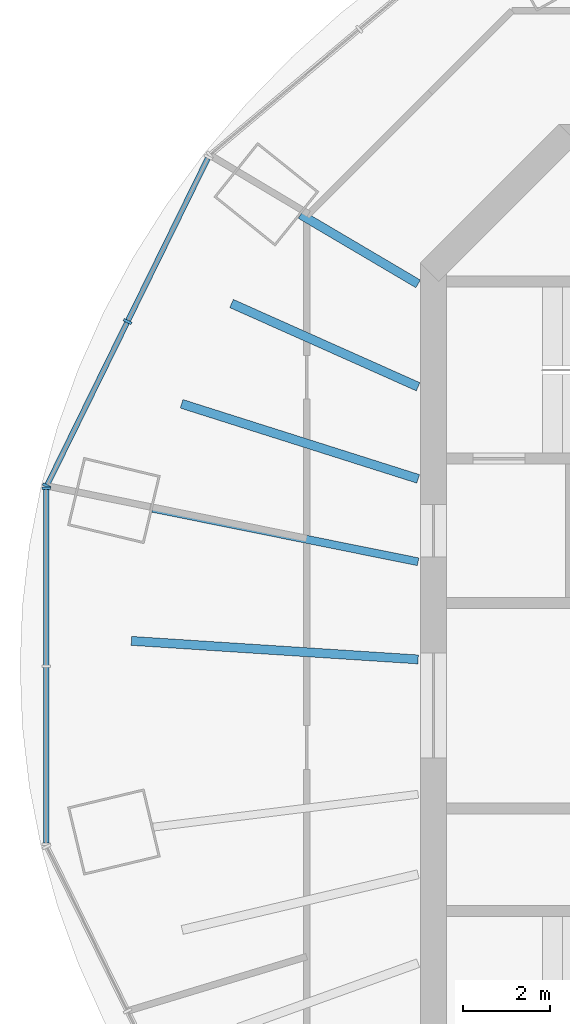
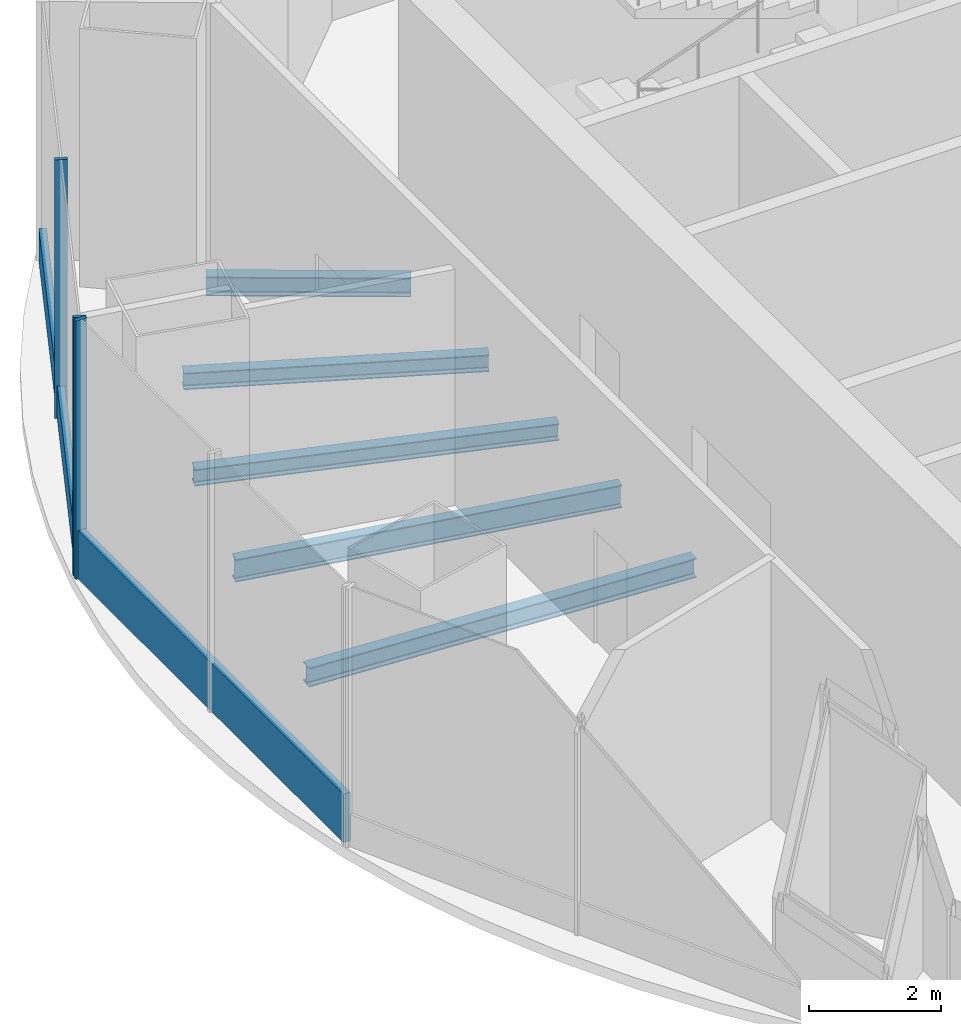
# One storey, part 3 of 12: 5 beams, 5 members, 2 elements without a shape of their own.
"""IFC4 building model written with IfcOpenShell, lengths in metres."""

from ifc_helpers import new_model, si_unit, direction, frame, origin, origin_2d, place, context, subcontext, project, spatial, rectangle, i_section, extrude, material, material_profile, profile_set, type_object, element, aggregate, save


model = new_model("IFC4")

# Units and contexts
model_context = context("Model", 3, precision=1e-05, world=origin(), true_north=direction((0.0, 1.0)))
body_context = subcontext(model_context, "Body", "Model", "MODEL_VIEW")
ifc_project = project(units=[si_unit("LENGTHUNIT", "METRE"), si_unit("AREAUNIT", "SQUARE_METRE"), si_unit("VOLUMEUNIT", "CUBIC_METRE"), si_unit("PLANEANGLEUNIT", "RADIAN"), si_unit("MASSUNIT", "GRAM", prefix="KILO")], contexts=[model_context])

# Site, building, storey
site_placement = place(None, origin())
site = spatial("IfcSite", under=ifc_project, at=site_placement, CompositionType="ELEMENT")
building_placement = place(site_placement, origin())
building = spatial("IfcBuilding", under=site, at=building_placement, Name="Marenthal Gate Tower", CompositionType="ELEMENT")
storey_placement = place(building_placement, frame((0.0, 0.0, 413.550048828125)))
storey = spatial("IfcBuildingStorey", under=building, at=storey_placement, Name="L93", CompositionType="ELEMENT", Elevation=413.550048828125)

# Curtain wall, members
ifc_material_1 = material(Name="Aluminium and glass", Category="aluminium")
curtain_wall_type_1 = type_object("IfcCurtainWallType", Name="Curtain wall crown clad", PredefinedType="NOTDEFINED", material=ifc_material_1)
curtain_wall_1_placement = place(storey_placement, origin())
curtain_wall_1 = element("IfcCurtainWall", 1, at=curtain_wall_1_placement, inside=storey, type_object=curtain_wall_type_1, Name="Curtain wall L93 bay 7", PredefinedType="NOTDEFINED")
ifc_material_2 = material(Name="Aluminium", Category="aluminium")
ifc_material_profile_1 = material_profile(ifc_material_2, rectangle(XDim=0.199951171875, YDim=0.06005859375, at=origin_2d()), Name="60x200 aluminium mullion")
ifc_profile_set_1 = profile_set([ifc_material_profile_1], Name="Aluminium")
member_type_1 = type_object("IfcMemberType", Name="Mullion 60x200 crown clad", PredefinedType="MULLION", material=ifc_profile_set_1)
member_1_placement = place(storey_placement, frame((-22.9970703125, 8.78759765625, 0.0), z_axis=(0.0, 0.0, 1.0), x_axis=(0.897446389763, -0.441123539953, 0.0)))
member_1 = element("IfcMember", 2, at=member_1_placement, type_object=member_type_1, Name="Mullion L93 bay 7.2", PredefinedType="MULLION", context=body_context, shape_type="SweptSolid", body=[
    extrude(rectangle(XDim=0.199951171875, YDim=0.06005859375, at=origin_2d()), origin(), (0.0, 0.0, 1.0), 4.800048828125),
])
member_2_placement = place(storey_placement, frame((-24.845458984375, 5.026611328125, 0.0), z_axis=(0.0, 0.0, 1.0), x_axis=(0.897446389763, -0.441123539953, 0.0)))
member_2 = element("IfcMember", 3, at=member_2_placement, type_object=member_type_1, Name="Mullion L93 bay 7.3", PredefinedType="MULLION", context=body_context, shape_type="SweptSolid", body=[
    extrude(rectangle(XDim=0.199951171875, YDim=0.06005859375, at=origin_2d()), origin(), (0.0, 0.0, 1.0), 4.800048828125),
])

# Curtain wall, member
ifc_material_3 = material(Name="Aluminium and glass", Category="aluminium")
curtain_wall_type_2 = type_object("IfcCurtainWallType", Name="Curtain wall typical high", PredefinedType="NOTDEFINED", material=ifc_material_3)
curtain_wall_2_placement = place(storey_placement, origin())
curtain_wall_2 = element("IfcCurtainWall", 4, at=curtain_wall_2_placement, inside=storey, type_object=curtain_wall_type_2, Name="Curtain wall L93 bay 8", PredefinedType="NOTDEFINED")
ifc_material_4 = material(Name="Aluminium", Category="aluminium")
ifc_material_profile_2 = material_profile(ifc_material_4, rectangle(XDim=0.199951171875, YDim=0.06005859375, at=origin_2d()), Name="60x200 aluminium mullion")
ifc_profile_set_2 = profile_set([ifc_material_profile_2], Name="Aluminium")
member_type_2 = type_object("IfcMemberType", Name="Mullion 60x200 typical high", PredefinedType="MULLION", material=ifc_profile_set_2)
member_3_placement = place(storey_placement, frame((-24.85888671875, 4.9697265625, 0.0), z_axis=(0.0, 0.0, 1.0), x_axis=(1.0, 0.0, 0.0)))
member_3 = element("IfcMember", 5, at=member_3_placement, type_object=member_type_2, Name="Mullion L93 bay 8.1", PredefinedType="MULLION", context=body_context, shape_type="SweptSolid", body=[
    extrude(rectangle(XDim=0.199951171875, YDim=0.06005859375, at=origin_2d()), origin(), (0.0, 0.0, 1.0), 4.800048828125),
])

# Member
ifc_material_5 = material(Name="Aluminium", Category="aluminium")
ifc_material_profile_3 = material_profile(ifc_material_5, rectangle(XDim=0.1201171875, YDim=0.60009765625, at=origin_2d()), Name="120x600 aluminium transom")
ifc_profile_set_3 = profile_set([ifc_material_profile_3], Name="Aluminium")
member_type_3 = type_object("IfcMemberType", Name="Transom 120x600 crown clad", PredefinedType="USERDEFINED", material=ifc_profile_set_3)
member_4_placement = place(storey_placement, frame((-21.16162109375, 12.521484375, 0.300048828125), z_axis=(-0.441124056829, -0.897446135702, 0.0), x_axis=(0.897446135702, -0.441124056829, 0.0)))
member_4 = element("IfcMember", 6, at=member_4_placement, type_object=member_type_3, Name="Transom L93 bay 7", ObjectType="TRANSOM", PredefinedType="USERDEFINED", context=body_context, shape_type="SweptSolid", body=[
    extrude(rectangle(XDim=0.1201171875, YDim=0.60009765625, at=origin_2d()), origin(), (0.0, 0.0, 1.0), 8.321044921875),
])

aggregate(curtain_wall_1, [member_1, member_2, member_4])

ifc_material_6 = material(Name="Aluminium", Category="aluminium")
ifc_material_profile_4 = material_profile(ifc_material_6, rectangle(XDim=0.1201171875, YDim=0.89990234375, at=origin_2d()), Name="120x900 aluminium transom")
ifc_profile_set_4 = profile_set([ifc_material_profile_4], Name="Aluminium")
member_type_4 = type_object("IfcMemberType", Name="Transom 120x900 typical high", PredefinedType="USERDEFINED", material=ifc_profile_set_4)
member_5_placement = place(storey_placement, frame((-24.85888671875, 4.939697265625, 0.449951171875), z_axis=(0.0, -1.0, 0.0), x_axis=(1.0, 0.0, 0.0)))
member_5 = element("IfcMember", 7, at=member_5_placement, type_object=member_type_4, Name="Transom L93 bay 8", ObjectType="TRANSOM", PredefinedType="USERDEFINED", context=body_context, shape_type="SweptSolid", body=[
    extrude(rectangle(XDim=0.1201171875, YDim=0.89990234375, at=origin_2d()), origin(), (0.0, 0.0, 1.0), 8.07958984375),
])

aggregate(curtain_wall_2, [member_3, member_5])

# Beams
ifc_material_7 = material(Name="Steel S355", Category="steel")
ifc_material_profile_5 = material_profile(ifc_material_7, i_section(OverallWidth=0.205078125, OverallDepth=0.31005859375, WebThickness=0.009521484375, FlangeThickness=0.016357421875, FilletRadius=0.0126953125, at=origin_2d()), Name="W310X74")
ifc_profile_set_5 = profile_set([ifc_material_profile_5], Name="Steel S355")
beam_type_1 = type_object("IfcBeamType", Name="W310X74 beam", PredefinedType="BEAM", material=ifc_profile_set_5)
beam_1_placement = place(storey_placement, frame((-20.618408203125, 9.19921875, -0.35498046875), z_axis=(0.913213905719, -0.407480505549, 0.0), x_axis=(0.407480505549, 0.913213905719, 0.0)))
element("IfcBeam", 8, at=beam_1_placement, inside=storey, type_object=beam_type_1, Name="BM-L93-24", PredefinedType="BEAM", context=body_context, shape_type="SweptSolid", body=[
    extrude(i_section(OverallWidth=0.205078125, OverallDepth=0.31005859375, WebThickness=0.009521484375, FlangeThickness=0.016357421875, FilletRadius=0.0126953125, at=origin_2d()), origin(), (0.0, 0.0, 1.0), 4.673828125),
])
beam_2_placement = place(storey_placement, frame((-21.7607421875, 6.904541015625, -0.35498046875), z_axis=(0.953168358853, -0.30244020844, 0.0), x_axis=(0.30244020844, 0.953168358853, 0.0)))
element("IfcBeam", 9, at=beam_2_placement, inside=storey, type_object=beam_type_1, Name="BM-L93-25", PredefinedType="BEAM", context=body_context, shape_type="SweptSolid", body=[
    extrude(i_section(OverallWidth=0.205078125, OverallDepth=0.31005859375, WebThickness=0.009521484375, FlangeThickness=0.016357421875, FilletRadius=0.0126953125, at=origin_2d()), origin(), (0.0, 0.0, 1.0), 5.676513671875),
])
ifc_material_8 = material(Name="Steel S355", Category="steel")
ifc_material_profile_6 = material_profile(ifc_material_8, i_section(OverallWidth=0.205078125, OverallDepth=0.35302734375, WebThickness=0.009521484375, FlangeThickness=0.016845703125, FilletRadius=0.014892578125, at=origin_2d()), Name="W360X79")
ifc_profile_set_6 = profile_set([ifc_material_profile_6], Name="Steel S355")
beam_type_2 = type_object("IfcBeamType", Name="W360X79 beam", PredefinedType="BEAM", material=ifc_profile_set_6)
beam_3_placement = place(storey_placement, frame((-19.038330078125, 11.2353515625, -0.37646484375), z_axis=(0.861183329591, -0.508294474527, 0.0), x_axis=(0.508294474527, 0.861183329591, 0.0)))
element("IfcBeam", 10, at=beam_3_placement, inside=storey, type_object=beam_type_2, Name="BM-L93-07", PredefinedType="BEAM", context=body_context, shape_type="SweptSolid", body=[
    extrude(i_section(OverallWidth=0.205078125, OverallDepth=0.35302734375, WebThickness=0.009521484375, FlangeThickness=0.016845703125, FilletRadius=0.014892578125, at=origin_2d()), origin(), (0.0, 0.0, 1.0), 3.12158203125),
])
beam_4_placement = place(storey_placement, frame((-22.9091796875, 1.480712890625, -0.37646484375), z_axis=(0.997918837362, -0.064482509553, 0.0), x_axis=(0.064482509553, 0.997918837362, 0.0)))
element("IfcBeam", 11, at=beam_4_placement, inside=storey, type_object=beam_type_2, Name="BM-L93-26", PredefinedType="BEAM", context=body_context, shape_type="SweptSolid", body=[
    extrude(i_section(OverallWidth=0.205078125, OverallDepth=0.35302734375, WebThickness=0.009521484375, FlangeThickness=0.016845703125, FilletRadius=0.014892578125, at=origin_2d()), origin(), (0.0, 0.0, 1.0), 6.57275390625),
])
ifc_material_9 = material(Name="Steel S355", Category="steel")
ifc_material_profile_7 = material_profile(ifc_material_9, i_section(OverallWidth=0.180908203125, OverallDepth=0.4169921875, WebThickness=0.010986328125, FlangeThickness=0.018310546875, FilletRadius=0.01025390625, at=origin_2d()), Name="W410X85")
ifc_profile_set_7 = profile_set([ifc_material_profile_7], Name="Steel S355")
beam_type_3 = type_object("IfcBeamType", Name="W410X85 beam", PredefinedType="BEAM", material=ifc_profile_set_7)
beam_5_placement = place(storey_placement, frame((-22.42626953125, 4.513916015625, -0.408447265625), z_axis=(0.980342098576, -0.197305270482, 0.0), x_axis=(0.197305270482, 0.980342098576, 0.0)))
element("IfcBeam", 12, at=beam_5_placement, inside=storey, type_object=beam_type_3, Name="BM-L93-08", PredefinedType="BEAM", context=body_context, shape_type="SweptSolid", body=[
    extrude(i_section(OverallWidth=0.180908203125, OverallDepth=0.4169921875, WebThickness=0.010986328125, FlangeThickness=0.018310546875, FilletRadius=0.01025390625, at=origin_2d()), origin(), (0.0, 0.0, 1.0), 6.197998046875),
])

save(model, "model.ifc")
